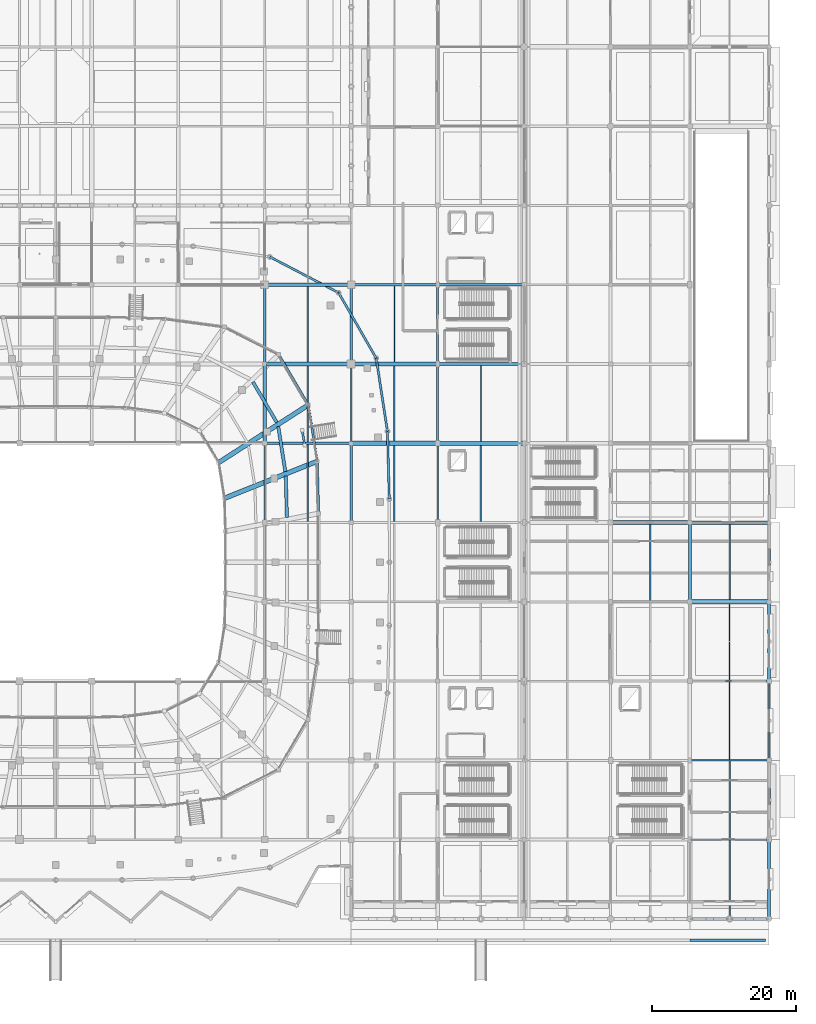
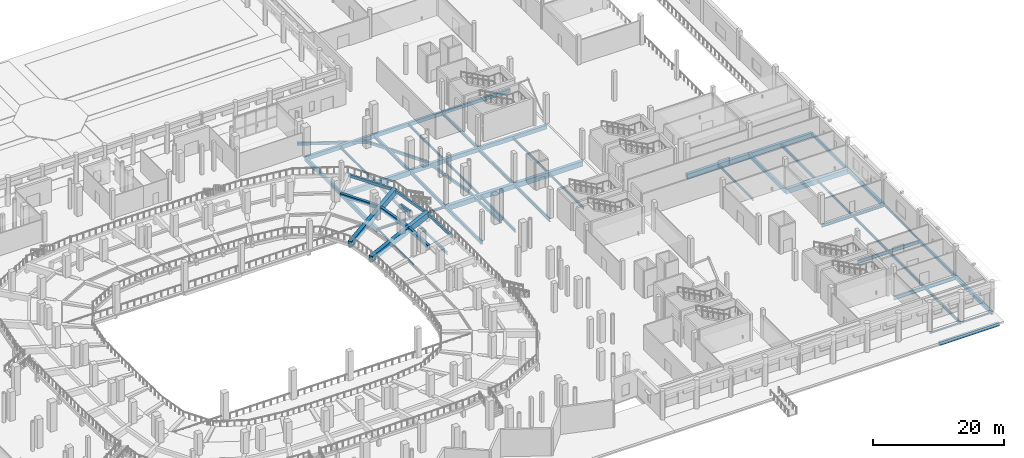
# One storey, part 32 of 120: 59 beams.
"""IFC4 building model written with IfcOpenShell, lengths in metres."""

from ifc_helpers import new_model, si_unit, direction, frame, origin, origin_2d, place, context, subcontext, project, spatial, rectangle, hollow_rectangle, i_section, extrude, material, material_profile, profile_set, type_object, element, save


model = new_model("IFC4")

# Units and contexts
model_context = context("Model", 3, precision=1e-05, world=origin(), true_north=direction((0.0, 1.0)))
body_context = subcontext(model_context, "Body", "Model", "MODEL_VIEW")
ifc_project = project(units=[si_unit("LENGTHUNIT", "METRE"), si_unit("AREAUNIT", "SQUARE_METRE"), si_unit("VOLUMEUNIT", "CUBIC_METRE"), si_unit("PLANEANGLEUNIT", "RADIAN"), si_unit("MASSUNIT", "GRAM", prefix="KILO")], contexts=[model_context])

# Site, building, storey
site_placement = place(None, origin())
site = spatial("IfcSite", under=ifc_project, at=site_placement, CompositionType="ELEMENT")
building_placement = place(site_placement, origin())
building = spatial("IfcBuilding", under=site, at=building_placement, Name="Luwafu Chhajja Arena", CompositionType="ELEMENT")
storey_placement = place(building_placement, origin())
storey = spatial("IfcBuildingStorey", under=building, at=storey_placement, Name="L00", CompositionType="ELEMENT", Elevation=0.0)

# Beams
ifc_material_1 = material(Name="Concrete C35/45", Category="concrete")
ifc_material_profile_1 = material_profile(ifc_material_1, rectangle(XDim=0.35009765625, YDim=0.60009765625, at=origin_2d()), Name="RC 350x600")
ifc_profile_set_1 = profile_set([ifc_material_profile_1], Name="Concrete C35/45")
beam_type_1 = type_object("IfcBeamType", Name="Arcade Tie Beam RC 350x600", PredefinedType="BEAM", material=ifc_profile_set_1)
beam_1_placement = place(storey_placement, frame((152.0, 88.0, -0.64990234375), z_axis=(1.0, 0.0, 0.0), x_axis=(0.0, 1.0, 0.0)))
element("IfcBeam", 1, at=beam_1_placement, inside=storey, type_object=beam_type_1, Name="L00 Grid Beam 14-15/J", PredefinedType="BEAM", context=body_context, shape_type="SweptSolid", body=[
    extrude(rectangle(XDim=0.35009765625, YDim=0.60009765625, at=origin_2d()), origin(), (0.0, 0.0, 1.0), 12.0),
])
beam_2_placement = place(storey_placement, frame((140.0, 55.0, -0.64990234375), z_axis=(0.0, 1.0, 0.0), x_axis=(-1.0, 0.0, 0.0)))
element("IfcBeam", 2, at=beam_2_placement, inside=storey, type_object=beam_type_1, Name="L00 Grid Beam 13/F-G", PredefinedType="BEAM", context=body_context, shape_type="SweptSolid", body=[
    extrude(rectangle(XDim=0.35009765625, YDim=0.60009765625, at=origin_2d()), origin(), (0.0, 0.0, 1.0), 11.0),
])
ifc_material_2 = material(Name="Precast concrete C40/50", Category="concrete")
ifc_material_profile_2 = material_profile(ifc_material_2, rectangle(XDim=0.449951171875, YDim=0.64990234375, at=origin_2d()), Name="RC 450x650")
ifc_profile_set_2 = profile_set([ifc_material_profile_2], Name="Precast concrete C40/50")
beam_type_2 = type_object("IfcBeamType", Name="Bowl Tier Ring Beam RC 450x650", PredefinedType="BEAM", material=ifc_profile_set_2)
beam_3_placement = place(storey_placement, frame((131.082763671875, 55.73095703125, 1.304931640625), z_axis=(-0.02790877048, 0.9996104744, 0.0), x_axis=(-0.9996104744, -0.02790877048, 0.0)))
element("IfcBeam", 3, at=beam_3_placement, inside=storey, type_object=beam_type_2, Name="Lower Tier Ring Beam S02-B3", PredefinedType="BEAM", context=body_context, shape_type="SweptSolid", body=[
    extrude(rectangle(XDim=0.449951171875, YDim=0.64990234375, at=origin_2d()), origin(), (0.0, 0.0, 1.0), 5.738525390625),
])
beam_4_placement = place(storey_placement, frame((130.86669921875, 62.073486328125, 1.304931640625), z_axis=(-0.155447556013, 0.987844146275, 0.0), x_axis=(-0.987844146275, -0.155447556013, 0.0)))
element("IfcBeam", 4, at=beam_4_placement, inside=storey, type_object=beam_type_2, Name="Lower Tier Ring Beam S03-B3", PredefinedType="BEAM", context=body_context, shape_type="SweptSolid", body=[
    extrude(rectangle(XDim=0.449951171875, YDim=0.64990234375, at=origin_2d()), origin(), (0.0, 0.0, 1.0), 6.329345703125),
])
beam_5_placement = place(storey_placement, frame((129.680419921875, 68.889892578125, 1.304931640625), z_axis=(-0.507802544164, 0.861473491258, 0.0), x_axis=(-0.861473491258, -0.507802544164, 0.0)))
element("IfcBeam", 5, at=beam_5_placement, inside=storey, type_object=beam_type_2, Name="Lower Tier Ring Beam S04-B3", PredefinedType="BEAM", context=body_context, shape_type="SweptSolid", body=[
    extrude(rectangle(XDim=0.449951171875, YDim=0.64990234375, at=origin_2d()), origin(), (0.0, 0.0, 1.0), 6.516357421875),
])
ifc_material_3 = material(Name="Steel S355", Category="steel")
ifc_material_profile_3 = material_profile(ifc_material_3, i_section(OverallWidth=0.165771484375, OverallDepth=0.306640625, WebThickness=0.006591796875, FlangeThickness=0.01171875, at=origin_2d()), Name="UB 305x165x46")
ifc_profile_set_3 = profile_set([ifc_material_profile_3], Name="Steel S355")
beam_type_3 = type_object("IfcBeamType", Name="Concourse Edge Spandrel Beam UB 305x165x46", PredefinedType="SPANDREL", material=ifc_profile_set_3)
for number, where, z_axis, x_axis, name in (
    (6, (187.0, 0.0, -0.50341796875), (1.0, 0.0, 0.0), (0.0, 1.0, 0.0), "L00 Grid Beam 17-18/A"),
    (7, (128.0, 55.0, -0.50341796875), (0.0, 1.0, 0.0), (-1.0, 0.0, 0.0), "L00 Grid Beam 12/F-G"),
    (8, (198.0, 22.0, -0.50341796875), (0.0, 1.0, 0.0), (-1.0, 0.0, 0.0), "L00 Grid Beam 18/C-D"),
):
    element("IfcBeam", number, at=place(storey_placement, frame(where, z_axis=z_axis, x_axis=x_axis)), inside=storey, type_object=beam_type_3, Name=name, PredefinedType="SPANDREL", context=body_context, shape_type="SweptSolid", body=[
        extrude(i_section(OverallWidth=0.165771484375, OverallDepth=0.306640625, WebThickness=0.006591796875, FlangeThickness=0.01171875, at=origin_2d()), origin(), (0.0, 0.0, 1.0), 11.0),
    ])
ifc_material_profile_4 = material_profile(ifc_material_1, rectangle(XDim=0.60009765625, YDim=0.89990234375, at=origin_2d()), Name="RC 600x900")
ifc_profile_set_4 = profile_set([ifc_material_profile_4], Name="Concrete C35/45")
beam_type_4 = type_object("IfcBeamType", Name="Concourse Primary Girder RC 600x900", PredefinedType="BEAM", material=ifc_profile_set_4)
beam_6_placement = place(storey_placement, frame((140.0, 66.0, -0.800048828125), z_axis=(1.0, 0.0, 0.0), x_axis=(0.0, 1.0, 0.0)))
element("IfcBeam", 9, at=beam_6_placement, inside=storey, type_object=beam_type_4, Name="L00 Grid Beam 13-14/G", PredefinedType="BEAM", context=body_context, shape_type="SweptSolid", body=[
    extrude(rectangle(XDim=0.60009765625, YDim=0.89990234375, at=origin_2d()), origin(), (0.0, 0.0, 1.0), 12.0),
])
beam_7_placement = place(storey_placement, frame((187.0, 44.0, -0.800048828125), z_axis=(1.0, 0.0, 0.0), x_axis=(0.0, 1.0, 0.0)))
element("IfcBeam", 10, at=beam_7_placement, inside=storey, type_object=beam_type_4, Name="L00 Grid Beam 17-18/E", PredefinedType="BEAM", context=body_context, shape_type="SweptSolid", body=[
    extrude(rectangle(XDim=0.60009765625, YDim=0.89990234375, at=origin_2d()), origin(), (0.0, 0.0, 1.0), 11.0),
])
ifc_material_profile_5 = material_profile(ifc_material_1, rectangle(XDim=0.550048828125, YDim=0.949951171875, at=origin_2d()), Name="RC 550x950")
ifc_profile_set_5 = profile_set([ifc_material_profile_5], Name="Concrete C35/45")
beam_type_5 = type_object("IfcBeamType", Name="Concourse Radial Girder RC 550x950", PredefinedType="BEAM", material=ifc_profile_set_5)
for number, where, z_axis, x_axis, name in (
    (11, (128.0, 77.0, -0.824951171875), (1.0, 0.0, 0.0), (0.0, 1.0, 0.0), "L00 Grid Beam 12-13/H"),
    (12, (152.0, 66.0, -0.824951171875), (1.0, 0.0, 0.0), (0.0, 1.0, 0.0), "L00 Grid Beam 14-15/G"),
):
    element("IfcBeam", number, at=place(storey_placement, frame(where, z_axis=z_axis, x_axis=x_axis)), inside=storey, type_object=beam_type_5, Name=name, PredefinedType="BEAM", context=body_context, shape_type="SweptSolid", body=[
        extrude(rectangle(XDim=0.550048828125, YDim=0.949951171875, at=origin_2d()), origin(), (0.0, 0.0, 1.0), 12.0),
    ])
beam_8_placement = place(storey_placement, frame((176.0, 55.0, -0.824951171875), z_axis=(1.0, 0.0, 0.0), x_axis=(0.0, 1.0, 0.0)))
element("IfcBeam", 13, at=beam_8_placement, inside=storey, type_object=beam_type_5, Name="L00 Grid Beam 16-17/F", PredefinedType="BEAM", context=body_context, shape_type="SweptSolid", body=[
    extrude(rectangle(XDim=0.550048828125, YDim=0.949951171875, at=origin_2d()), origin(), (0.0, 0.0, 1.0), 11.0),
])
ifc_material_profile_6 = material_profile(ifc_material_3, i_section(OverallWidth=0.15283203125, OverallDepth=0.45458984375, WebThickness=0.008056640625, FlangeThickness=0.01318359375, at=origin_2d()), Name="UB 457x152x60")
ifc_profile_set_6 = profile_set([ifc_material_profile_6], Name="Steel S355")
beam_type_6 = type_object("IfcBeamType", Name="Floor Joist UB 457x152x60", PredefinedType="JOIST", material=ifc_profile_set_6)
beam_9_placement = place(storey_placement, frame((146.0, 77.25, -0.577392578125), z_axis=(0.0, 1.0, 0.0), x_axis=(-1.0, 0.0, 0.0)))
element("IfcBeam", 14, at=beam_9_placement, inside=storey, type_object=beam_type_6, Name="L00 Secondary Joist 13-14/H", PredefinedType="JOIST", context=body_context, shape_type="SweptSolid", body=[
    extrude(i_section(OverallWidth=0.15283203125, OverallDepth=0.45458984375, WebThickness=0.008056640625, FlangeThickness=0.01318359375, at=origin_2d()), origin(), (0.0, 0.0, 1.0), 10.550048828125),
])
beam_10_placement = place(storey_placement, frame((158.0, 66.27490234375, -0.577392578125), z_axis=(0.0, 1.0, 0.0), x_axis=(-1.0, 0.0, 0.0)))
element("IfcBeam", 15, at=beam_10_placement, inside=storey, type_object=beam_type_6, Name="L00 Secondary Joist 14-15/G", PredefinedType="JOIST", context=body_context, shape_type="SweptSolid", body=[
    extrude(i_section(OverallWidth=0.15283203125, OverallDepth=0.45458984375, WebThickness=0.008056640625, FlangeThickness=0.01318359375, at=origin_2d()), origin(), (0.0, 0.0, 1.0), 10.5),
])
beam_11_placement = place(storey_placement, frame((181.5, 44.14990234375, -0.577392578125), z_axis=(0.0, 1.0, 0.0), x_axis=(-1.0, 0.0, 0.0)))
element("IfcBeam", 16, at=beam_11_placement, inside=storey, type_object=beam_type_6, Name="L00 Secondary Joist 16-17/E", PredefinedType="JOIST", context=body_context, shape_type="SweptSolid", body=[
    extrude(i_section(OverallWidth=0.15283203125, OverallDepth=0.45458984375, WebThickness=0.008056640625, FlangeThickness=0.01318359375, at=origin_2d()), origin(), (0.0, 0.0, 1.0), 10.5751953125),
])
beam_12_placement = place(storey_placement, frame((192.5, 33.14990234375, -0.577392578125), z_axis=(0.0, 1.0, 0.0), x_axis=(-1.0, 0.0, 0.0)))
element("IfcBeam", 17, at=beam_12_placement, inside=storey, type_object=beam_type_6, Name="L00 Secondary Joist 17-18/D", PredefinedType="JOIST", context=body_context, shape_type="SweptSolid", body=[
    extrude(i_section(OverallWidth=0.15283203125, OverallDepth=0.45458984375, WebThickness=0.008056640625, FlangeThickness=0.01318359375, at=origin_2d()), origin(), (0.0, 0.0, 1.0), 10.550048828125),
])
ifc_material_profile_7 = material_profile(ifc_material_3, i_section(OverallWidth=0.19140625, OverallDepth=0.4599609375, WebThickness=0.010009765625, FlangeThickness=0.01611328125, at=origin_2d()), Name="UB 457x191x82")
ifc_profile_set_7 = profile_set([ifc_material_profile_7], Name="Steel S355")
beam_type_7 = type_object("IfcBeamType", Name="Floor Joist UB 457x191x82", PredefinedType="JOIST", material=ifc_profile_set_7)
beam_13_placement = place(storey_placement, frame((134.0, 77.27490234375, -0.580078125), z_axis=(0.0, 1.0, 0.0), x_axis=(-1.0, 0.0, 0.0)))
element("IfcBeam", 18, at=beam_13_placement, inside=storey, type_object=beam_type_7, Name="L00 Secondary Joist 12-13/H", PredefinedType="JOIST", context=body_context, shape_type="SweptSolid", body=[
    extrude(i_section(OverallWidth=0.19140625, OverallDepth=0.4599609375, WebThickness=0.010009765625, FlangeThickness=0.01611328125, at=origin_2d()), origin(), (0.0, 0.0, 1.0), 10.5),
])
beam_14_placement = place(storey_placement, frame((146.0, 66.300048828125, -0.580078125), z_axis=(0.0, 1.0, 0.0), x_axis=(-1.0, 0.0, 0.0)))
element("IfcBeam", 19, at=beam_14_placement, inside=storey, type_object=beam_type_7, Name="L00 Secondary Joist 13-14/G", PredefinedType="JOIST", context=body_context, shape_type="SweptSolid", body=[
    extrude(i_section(OverallWidth=0.19140625, OverallDepth=0.4599609375, WebThickness=0.010009765625, FlangeThickness=0.01611328125, at=origin_2d()), origin(), (0.0, 0.0, 1.0), 10.449951171875),
])
beam_15_placement = place(storey_placement, frame((158.0, 55.14990234375, -0.580078125), z_axis=(0.0, 1.0, 0.0), x_axis=(-1.0, 0.0, 0.0)))
element("IfcBeam", 20, at=beam_15_placement, inside=storey, type_object=beam_type_7, Name="L00 Secondary Joist 14-15/F", PredefinedType="JOIST", context=body_context, shape_type="SweptSolid", body=[
    extrude(i_section(OverallWidth=0.19140625, OverallDepth=0.4599609375, WebThickness=0.010009765625, FlangeThickness=0.01611328125, at=origin_2d()), origin(), (0.0, 0.0, 1.0), 10.5751953125),
])
beam_16_placement = place(storey_placement, frame((192.5, 22.114501953125, -0.580078125), z_axis=(0.0, 1.0, 0.0), x_axis=(-1.0, 0.0, 0.0)))
element("IfcBeam", 21, at=beam_16_placement, inside=storey, type_object=beam_type_7, Name="L00 Secondary Joist 17-18/C", PredefinedType="JOIST", context=body_context, shape_type="SweptSolid", body=[
    extrude(i_section(OverallWidth=0.19140625, OverallDepth=0.4599609375, WebThickness=0.010009765625, FlangeThickness=0.01611328125, at=origin_2d()), origin(), (0.0, 0.0, 1.0), 10.735595703125),
])
ifc_material_profile_8 = material_profile(ifc_material_3, i_section(OverallWidth=0.2099609375, OverallDepth=0.53662109375, WebThickness=0.0107421875, FlangeThickness=0.017333984375, at=origin_2d()), Name="UB 533x210x101")
ifc_profile_set_8 = profile_set([ifc_material_profile_8], Name="Steel S355")
beam_type_8 = type_object("IfcBeamType", Name="Floor Joist UB 533x210x101", PredefinedType="JOIST", material=ifc_profile_set_8)
beam_17_placement = place(storey_placement, frame((134.0, 55.14990234375, -0.618408203125), z_axis=(0.0, 1.0, 0.0), x_axis=(-1.0, 0.0, 0.0)))
element("IfcBeam", 22, at=beam_17_placement, inside=storey, type_object=beam_type_8, Name="L00 Secondary Joist 12-13/F", PredefinedType="JOIST", context=body_context, shape_type="SweptSolid", body=[
    extrude(i_section(OverallWidth=0.2099609375, OverallDepth=0.53662109375, WebThickness=0.0107421875, FlangeThickness=0.017333984375, at=origin_2d()), origin(), (0.0, 0.0, 1.0), 10.7001953125),
])
beam_18_placement = place(storey_placement, frame((192.5, 0.082763671875, -0.618408203125), z_axis=(0.0, 1.0, 0.0), x_axis=(-1.0, 0.0, 0.0)))
element("IfcBeam", 23, at=beam_18_placement, inside=storey, type_object=beam_type_8, Name="L00 Secondary Joist 17-18/A", PredefinedType="JOIST", context=body_context, shape_type="SweptSolid", body=[
    extrude(i_section(OverallWidth=0.2099609375, OverallDepth=0.53662109375, WebThickness=0.0107421875, FlangeThickness=0.017333984375, at=origin_2d()), origin(), (0.0, 0.0, 1.0), 10.79052734375),
])
beam_19_placement = place(storey_placement, frame((192.5, 44.300048828125, -0.618408203125), z_axis=(0.0, 1.0, 0.0), x_axis=(-1.0, 0.0, 0.0)))
element("IfcBeam", 24, at=beam_19_placement, inside=storey, type_object=beam_type_8, Name="L00 Secondary Joist 17-18/E", PredefinedType="JOIST", context=body_context, shape_type="SweptSolid", body=[
    extrude(i_section(OverallWidth=0.2099609375, OverallDepth=0.53662109375, WebThickness=0.0107421875, FlangeThickness=0.017333984375, at=origin_2d()), origin(), (0.0, 0.0, 1.0), 10.449951171875),
])
ifc_material_profile_9 = material_profile(ifc_material_3, i_section(OverallWidth=0.209228515625, OverallDepth=0.533203125, WebThickness=0.010009765625, FlangeThickness=0.015625, at=origin_2d()), Name="UB 533x210x92")
ifc_profile_set_9 = profile_set([ifc_material_profile_9], Name="Steel S355")
beam_type_9 = type_object("IfcBeamType", Name="Floor Joist UB 533x210x92", PredefinedType="JOIST", material=ifc_profile_set_9)
beam_20_placement = place(storey_placement, frame((134.0, 66.14990234375, -0.616455078125), z_axis=(0.0, 1.0, 0.0), x_axis=(-1.0, 0.0, 0.0)))
element("IfcBeam", 25, at=beam_20_placement, inside=storey, type_object=beam_type_9, Name="L00 Secondary Joist 12-13/G", PredefinedType="JOIST", context=body_context, shape_type="SweptSolid", body=[
    extrude(i_section(OverallWidth=0.209228515625, OverallDepth=0.533203125, WebThickness=0.010009765625, FlangeThickness=0.015625, at=origin_2d()), origin(), (0.0, 0.0, 1.0), 10.5751953125),
])
beam_21_placement = place(storey_placement, frame((146.0, 55.14990234375, -0.616455078125), z_axis=(0.0, 1.0, 0.0), x_axis=(-1.0, 0.0, 0.0)))
element("IfcBeam", 26, at=beam_21_placement, inside=storey, type_object=beam_type_9, Name="L00 Secondary Joist 13-14/F", PredefinedType="JOIST", context=body_context, shape_type="SweptSolid", body=[
    extrude(i_section(OverallWidth=0.209228515625, OverallDepth=0.533203125, WebThickness=0.010009765625, FlangeThickness=0.015625, at=origin_2d()), origin(), (0.0, 0.0, 1.0), 10.550048828125),
])
beam_22_placement = place(storey_placement, frame((192.5, 11.126708984375, -0.616455078125), z_axis=(0.0, 1.0, 0.0), x_axis=(-1.0, 0.0, 0.0)))
element("IfcBeam", 27, at=beam_22_placement, inside=storey, type_object=beam_type_9, Name="L00 Secondary Joist 17-18/B", PredefinedType="JOIST", context=body_context, shape_type="SweptSolid", body=[
    extrude(i_section(OverallWidth=0.209228515625, OverallDepth=0.533203125, WebThickness=0.010009765625, FlangeThickness=0.015625, at=origin_2d()), origin(), (0.0, 0.0, 1.0), 10.7587890625),
])
ifc_material_profile_10 = material_profile(ifc_material_1, rectangle(XDim=0.5, YDim=0.800048828125, at=origin_2d()), Name="RC 500x800")
ifc_profile_set_10 = profile_set([ifc_material_profile_10], Name="Concrete C35/45")
beam_type_10 = type_object("IfcBeamType", Name="Hospitality Primary Beam RC 500x800", PredefinedType="BEAM", material=ifc_profile_set_10)
beam_23_placement = place(storey_placement, frame((140.0, 77.0, -0.75), z_axis=(1.0, 0.0, 0.0), x_axis=(0.0, 1.0, 0.0)))
element("IfcBeam", 28, at=beam_23_placement, inside=storey, type_object=beam_type_10, Name="L00 Grid Beam 13-14/H", PredefinedType="BEAM", context=body_context, shape_type="SweptSolid", body=[
    extrude(rectangle(XDim=0.5, YDim=0.800048828125, at=origin_2d()), origin(), (0.0, 0.0, 1.0), 12.0),
])
beam_24_placement = place(storey_placement, frame((187.0, 55.0, -0.75), z_axis=(1.0, 0.0, 0.0), x_axis=(0.0, 1.0, 0.0)))
element("IfcBeam", 29, at=beam_24_placement, inside=storey, type_object=beam_type_10, Name="L00 Grid Beam 17-18/F", PredefinedType="BEAM", context=body_context, shape_type="SweptSolid", body=[
    extrude(rectangle(XDim=0.5, YDim=0.800048828125, at=origin_2d()), origin(), (0.0, 0.0, 1.0), 11.0),
])
ifc_material_profile_11 = material_profile(ifc_material_3, hollow_rectangle(XDim=0.300048828125, YDim=0.5, WallThickness=0.02001953125, at=origin_2d()), Name="RHS 500x300x20")
ifc_profile_set_11 = profile_set([ifc_material_profile_11], Name="Steel S355")
beam_type_11 = type_object("IfcBeamType", Name="Pleated Drum Spandrel Beam RHS 500x300", PredefinedType="SPANDREL", material=ifc_profile_set_11)
for number, where, z_axis, x_axis, name in (
    (30, (198.0, 11.0, -0.60009765625), (0.0, 1.0, 0.0), (-1.0, 0.0, 0.0), "L00 Grid Beam 18/B-C"),
    (31, (198.0, 44.0, -0.60009765625), (0.0, 1.0, 0.0), (-1.0, 0.0, 0.0), "L00 Grid Beam 18/E-F"),
):
    element("IfcBeam", number, at=place(storey_placement, frame(where, z_axis=z_axis, x_axis=x_axis)), inside=storey, type_object=beam_type_11, Name=name, PredefinedType="SPANDREL", context=body_context, shape_type="SweptSolid", body=[
        extrude(hollow_rectangle(XDim=0.300048828125, YDim=0.5, WallThickness=0.02001953125, at=origin_2d()), origin(), (0.0, 0.0, 1.0), 11.0),
    ])
beam_25_placement = place(storey_placement, frame((145.28759765625, 58.269775390625, -0.60009765625), z_axis=(-0.02720805866, 0.999629792245, 0.0), x_axis=(-0.999629792245, -0.02720805866, 0.0)))
element("IfcBeam", 32, at=beam_25_placement, inside=storey, type_object=beam_type_11, Name="L00 Drum Ring Spandrel D02-D03", PredefinedType="SPANDREL", context=body_context, shape_type="SweptSolid", body=[
    extrude(hollow_rectangle(XDim=0.300048828125, YDim=0.5, WallThickness=0.02001953125, at=origin_2d()), origin(), (0.0, 0.0, 1.0), 9.394775390625),
])
beam_26_placement = place(storey_placement, frame((145.031982421875, 67.6611328125, -0.60009765625), z_axis=(-0.1515977802, 0.988442265911, 0.0), x_axis=(-0.988442265911, -0.1515977802, 0.0)))
element("IfcBeam", 33, at=beam_26_placement, inside=storey, type_object=beam_type_11, Name="L00 Drum Ring Spandrel D03-D04", PredefinedType="SPANDREL", context=body_context, shape_type="SweptSolid", body=[
    extrude(hollow_rectangle(XDim=0.300048828125, YDim=0.5, WallThickness=0.02001953125, at=origin_2d()), origin(), (0.0, 0.0, 1.0), 10.263427734375),
])
beam_27_placement = place(storey_placement, frame((143.47607421875, 77.805908203125, -0.60009765625), z_axis=(-0.498192671921, 0.867066353657, 0.0), x_axis=(-0.867066353657, -0.498192671921, 0.0)))
element("IfcBeam", 34, at=beam_27_placement, inside=storey, type_object=beam_type_11, Name="L00 Drum Ring Spandrel D04-D05", PredefinedType="SPANDREL", context=body_context, shape_type="SweptSolid", body=[
    extrude(hollow_rectangle(XDim=0.300048828125, YDim=0.5, WallThickness=0.02001953125, at=origin_2d()), origin(), (0.0, 0.0, 1.0), 10.477783203125),
])
beam_28_placement = place(storey_placement, frame((138.256103515625, 86.890869140625, -0.60009765625), z_axis=(-0.886755170812, 0.462239404463, 0.0), x_axis=(-0.462239404463, -0.886755170812, 0.0)))
element("IfcBeam", 35, at=beam_28_placement, inside=storey, type_object=beam_type_11, Name="L00 Drum Ring Spandrel D05-D06", PredefinedType="SPANDREL", context=body_context, shape_type="SweptSolid", body=[
    extrude(hollow_rectangle(XDim=0.300048828125, YDim=0.5, WallThickness=0.02001953125, at=origin_2d()), origin(), (0.0, 0.0, 1.0), 10.756103515625),
])
ifc_material_profile_12 = material_profile(ifc_material_1, rectangle(XDim=0.39990234375, YDim=0.60009765625, at=origin_2d()), Name="RC 400x600")
ifc_profile_set_12 = profile_set([ifc_material_profile_12], Name="Concrete C35/45")
beam_type_12 = type_object("IfcBeamType", Name="Podium Perimeter Spandrel RC 400x600", PredefinedType="SPANDREL", material=ifc_profile_set_12)
for number, where, z_axis, x_axis, name in (
    (36, (198.0, 0.0, -0.64990234375), (0.0, 1.0, 0.0), (-1.0, 0.0, 0.0), "L00 Grid Beam 18/A-B"),
    (37, (198.0, 33.0, -0.64990234375), (0.0, 1.0, 0.0), (-1.0, 0.0, 0.0), "L00 Grid Beam 18/D-E"),
):
    element("IfcBeam", number, at=place(storey_placement, frame(where, z_axis=z_axis, x_axis=x_axis)), inside=storey, type_object=beam_type_12, Name=name, PredefinedType="SPANDREL", context=body_context, shape_type="SweptSolid", body=[
        extrude(rectangle(XDim=0.39990234375, YDim=0.60009765625, at=origin_2d()), origin(), (0.0, 0.0, 1.0), 11.0),
    ])
beam_29_placement = place(storey_placement, frame((187.0, -2.949951171875, -0.659912109375), z_axis=(1.0, 0.0, 0.0), x_axis=(0.0, 1.0, 0.0)))
element("IfcBeam", 38, at=beam_29_placement, inside=storey, type_object=beam_type_12, Name="L00 Forecourt Plinth Edge Beam 18", PredefinedType="SPANDREL", context=body_context, shape_type="SweptSolid", body=[
    extrude(rectangle(XDim=0.39990234375, YDim=0.60009765625, at=origin_2d()), origin(), (0.0, 0.0, 1.0), 10.5),
])
ifc_material_4 = material(Name="Precast concrete C45/55", Category="concrete")
ifc_material_profile_13 = material_profile(ifc_material_4, rectangle(XDim=0.64990234375, YDim=1.10009765625, at=origin_2d()), Name="PC 650x1100")
ifc_profile_set_13 = profile_set([ifc_material_profile_13], Name="Precast concrete C45/55")
beam_type_13 = type_object("IfcBeamType", Name="Precast Lower Bowl Raker PC 650x1100", PredefinedType="USERDEFINED", material=ifc_profile_set_13)
beam_30_placement = place(storey_placement, frame((122.364013671875, 58.35400390625, 0.530029296875), z_axis=(0.927852740842, 0.369546185128, 0.050248466339), x_axis=(-0.370013605587, 0.9290263353, 0.0)))
element("IfcBeam", 39, at=beam_30_placement, inside=storey, type_object=beam_type_13, Name="Lower Bowl Raker RKR-L03", ObjectType="RAKER", PredefinedType="USERDEFINED", context=body_context, shape_type="SweptSolid", body=[
    extrude(rectangle(XDim=0.64990234375, YDim=1.10009765625, at=origin_2d()), origin(), (0.0, 0.0, 1.0), 13.9296875),
])
beam_31_placement = place(storey_placement, frame((121.57421875, 63.2998046875, 0.530029296875), z_axis=(0.840387777065, 0.539934770629, 0.047104433174), x_axis=(-0.540534780395, 0.84132166927, 0.0)))
element("IfcBeam", 40, at=beam_31_placement, inside=storey, type_object=beam_type_13, Name="Lower Bowl Raker RKR-L04", ObjectType="RAKER", PredefinedType="USERDEFINED", context=body_context, shape_type="SweptSolid", body=[
    extrude(rectangle(XDim=0.64990234375, YDim=1.10009765625, at=origin_2d()), origin(), (0.0, 0.0, 1.0), 14.859619140625),
])
ifc_material_profile_14 = material_profile(ifc_material_3, i_section(OverallWidth=0.300048828125, OverallDepth=0.5, WebThickness=0.014404296875, FlangeThickness=0.028076171875, at=origin_2d()), Name="HEB 500")
ifc_profile_set_14 = profile_set([ifc_material_profile_14], Name="Steel S355")
beam_type_14 = type_object("IfcBeamType", Name="Steel Atrium Tie Girder HEB 500", PredefinedType="BEAM", material=ifc_profile_set_14)
for number, where, z_axis, x_axis, name in (
    (41, (187.0, 33.0, -0.60009765625), (1.0, 0.0, 0.0), (0.0, 1.0, 0.0), "L00 Grid Beam 17-18/D"),
    (42, (152.0, 77.0, -0.60009765625), (0.0, 1.0, 0.0), (-1.0, 0.0, 0.0), "L00 Grid Beam 14/H-J"),
):
    element("IfcBeam", number, at=place(storey_placement, frame(where, z_axis=z_axis, x_axis=x_axis)), inside=storey, type_object=beam_type_14, Name=name, PredefinedType="BEAM", context=body_context, shape_type="SweptSolid", body=[
        extrude(i_section(OverallWidth=0.300048828125, OverallDepth=0.5, WebThickness=0.014404296875, FlangeThickness=0.028076171875, at=origin_2d()), origin(), (0.0, 0.0, 1.0), 11.0),
    ])
ifc_material_profile_15 = material_profile(ifc_material_3, i_section(OverallWidth=0.253662109375, OverallDepth=0.68359375, WebThickness=0.012451171875, FlangeThickness=0.01904296875, at=origin_2d()), Name="UB 686x254x140")
ifc_profile_set_15 = profile_set([ifc_material_profile_15], Name="Steel S355")
beam_type_15 = type_object("IfcBeamType", Name="Steel Concourse Girder UB 686x254x140", PredefinedType="BEAM", material=ifc_profile_set_15)
for number, where, z_axis, x_axis, name in (
    (43, (187.0, 11.0, -0.691650390625), (1.0, 0.0, 0.0), (0.0, 1.0, 0.0), "L00 Grid Beam 17-18/B"),
    (44, (140.0, 66.0, -0.691650390625), (0.0, 1.0, 0.0), (-1.0, 0.0, 0.0), "L00 Grid Beam 13/G-H"),
):
    element("IfcBeam", number, at=place(storey_placement, frame(where, z_axis=z_axis, x_axis=x_axis)), inside=storey, type_object=beam_type_15, Name=name, PredefinedType="BEAM", context=body_context, shape_type="SweptSolid", body=[
        extrude(i_section(OverallWidth=0.253662109375, OverallDepth=0.68359375, WebThickness=0.012451171875, FlangeThickness=0.01904296875, at=origin_2d()), origin(), (0.0, 0.0, 1.0), 11.0),
    ])
ifc_material_profile_16 = material_profile(ifc_material_3, i_section(OverallWidth=0.300048828125, OverallDepth=0.60009765625, WebThickness=0.015380859375, FlangeThickness=0.030029296875, at=origin_2d()), Name="HEB 600")
ifc_profile_set_16 = profile_set([ifc_material_profile_16], Name="Steel S355")
beam_type_16 = type_object("IfcBeamType", Name="Steel Gallery Girder HEB 600", PredefinedType="BEAM", material=ifc_profile_set_16)
beam_32_placement = place(storey_placement, frame((152.0, 66.0, -0.64990234375), z_axis=(0.0, 1.0, 0.0), x_axis=(-1.0, 0.0, 0.0)))
element("IfcBeam", 45, at=beam_32_placement, inside=storey, type_object=beam_type_16, Name="L00 Grid Beam 14/G-H", PredefinedType="BEAM", context=body_context, shape_type="SweptSolid", body=[
    extrude(i_section(OverallWidth=0.300048828125, OverallDepth=0.60009765625, WebThickness=0.015380859375, FlangeThickness=0.030029296875, at=origin_2d()), origin(), (0.0, 0.0, 1.0), 11.0),
])
ifc_material_profile_17 = material_profile(ifc_material_3, i_section(OverallWidth=0.30712890625, OverallDepth=0.6201171875, WebThickness=0.01416015625, FlangeThickness=0.023681640625, at=origin_2d()), Name="UB 610x305x179")
ifc_profile_set_17 = profile_set([ifc_material_profile_17], Name="Steel S355")
beam_type_17 = type_object("IfcBeamType", Name="Steel Hospitality Girder UB 610x305x179", PredefinedType="BEAM", material=ifc_profile_set_17)
beam_33_placement = place(storey_placement, frame((140.0, 77.0, -0.66015625), z_axis=(0.0, 1.0, 0.0), x_axis=(-1.0, 0.0, 0.0)))
element("IfcBeam", 46, at=beam_33_placement, inside=storey, type_object=beam_type_17, Name="L00 Grid Beam 13/H-J", PredefinedType="BEAM", context=body_context, shape_type="SweptSolid", body=[
    extrude(i_section(OverallWidth=0.30712890625, OverallDepth=0.6201171875, WebThickness=0.01416015625, FlangeThickness=0.023681640625, at=origin_2d()), origin(), (0.0, 0.0, 1.0), 11.0),
])
ifc_material_profile_18 = material_profile(ifc_material_3, i_section(OverallWidth=0.22900390625, OverallDepth=0.6123046875, WebThickness=0.011962890625, FlangeThickness=0.01953125, at=origin_2d()), Name="UB 610x229x125")
ifc_profile_set_18 = profile_set([ifc_material_profile_18], Name="Steel S355")
beam_type_18 = type_object("IfcBeamType", Name="Steel Mezzanine Girder UB 610x229x125", PredefinedType="BEAM", material=ifc_profile_set_18)
for number, where, z_axis, x_axis, name in (
    (47, (187.0, 22.0, -0.656005859375), (1.0, 0.0, 0.0), (0.0, 1.0, 0.0), "L00 Grid Beam 17-18/C"),
    (48, (152.0, 55.0, -0.656005859375), (0.0, 1.0, 0.0), (-1.0, 0.0, 0.0), "L00 Grid Beam 14/F-G"),
):
    element("IfcBeam", number, at=place(storey_placement, frame(where, z_axis=z_axis, x_axis=x_axis)), inside=storey, type_object=beam_type_18, Name=name, PredefinedType="BEAM", context=body_context, shape_type="SweptSolid", body=[
        extrude(i_section(OverallWidth=0.22900390625, OverallDepth=0.6123046875, WebThickness=0.011962890625, FlangeThickness=0.01953125, at=origin_2d()), origin(), (0.0, 0.0, 1.0), 11.0),
    ])
ifc_material_profile_19 = material_profile(ifc_material_3, i_section(OverallWidth=0.300048828125, OverallDepth=0.39990234375, WebThickness=0.013427734375, FlangeThickness=0.02392578125, at=origin_2d()), Name="HEB 400")
ifc_profile_set_19 = profile_set([ifc_material_profile_19], Name="Steel S355")
beam_type_19 = type_object("IfcBeamType", Name="Steel Rigging Grid Beam HEB 400", PredefinedType="BEAM", material=ifc_profile_set_19)
beam_34_placement = place(storey_placement, frame((128.0, 66.0, -0.550048828125), z_axis=(1.0, 0.0, 0.0), x_axis=(0.0, 1.0, 0.0)))
element("IfcBeam", 49, at=beam_34_placement, inside=storey, type_object=beam_type_19, Name="L00 Grid Beam 12-13/G", PredefinedType="BEAM", context=body_context, shape_type="SweptSolid", body=[
    extrude(i_section(OverallWidth=0.300048828125, OverallDepth=0.39990234375, WebThickness=0.013427734375, FlangeThickness=0.02392578125, at=origin_2d()), origin(), (0.0, 0.0, 1.0), 12.0),
])
ifc_material_profile_20 = material_profile(ifc_material_2, rectangle(XDim=0.300048828125, YDim=0.5, at=origin_2d()), Name="RC 300x500")
ifc_profile_set_20 = profile_set([ifc_material_profile_20], Name="Precast concrete C40/50")
beam_type_20 = type_object("IfcBeamType", Name="Tier Support Beam RC 300x500", PredefinedType="BEAM", material=ifc_profile_set_20)
beam_35_placement = place(storey_placement, frame((135.490234375, 56.26123046875, 1.3798828125), z_axis=(-0.027807295899, 0.99961330238, 0.0), x_axis=(-0.99961330238, -0.027807295899, 0.0)))
element("IfcBeam", 50, at=beam_35_placement, inside=storey, type_object=beam_type_20, Name="Lower Tier Outer Ring Beam S02", PredefinedType="BEAM", context=body_context, shape_type="SweptSolid", body=[
    extrude(rectangle(XDim=0.300048828125, YDim=0.5, at=origin_2d()), origin(), (0.0, 0.0, 1.0), 7.2431640625),
])
beam_36_placement = place(storey_placement, frame((135.288818359375, 63.501708984375, 1.3798828125), z_axis=(-0.15496009699, 0.987920729786, 0.0), x_axis=(-0.987920729786, -0.15496009699, 0.0)))
element("IfcBeam", 51, at=beam_36_placement, inside=storey, type_object=beam_type_20, Name="Lower Tier Outer Ring Beam S03", PredefinedType="BEAM", context=body_context, shape_type="SweptSolid", body=[
    extrude(rectangle(XDim=0.300048828125, YDim=0.5, at=origin_2d()), origin(), (0.0, 0.0, 1.0), 7.9169921875),
])
beam_37_placement = place(storey_placement, frame((133.557861328125, 65.625732421875, 0.89990234375), z_axis=(-0.154975894231, 0.987918251784, 0.0), x_axis=(-0.987918251784, -0.154975894231, 0.0)))
element("IfcBeam", 52, at=beam_37_placement, inside=storey, type_object=beam_type_20, Name="L00 Vomitory Header Beam S03", PredefinedType="BEAM", context=body_context, shape_type="SweptSolid", body=[
    extrude(rectangle(XDim=0.300048828125, YDim=0.5, at=origin_2d()), origin(), (0.0, 0.0, 1.0), 2.300048828125),
])
beam_38_placement = place(storey_placement, frame((134.06201171875, 71.322998046875, 1.3798828125), z_axis=(-0.506540670535, 0.862216068682, 0.0), x_axis=(-0.862216068682, -0.506540670535, 0.0)))
element("IfcBeam", 53, at=beam_38_placement, inside=storey, type_object=beam_type_20, Name="Lower Tier Outer Ring Beam S04", PredefinedType="BEAM", context=body_context, shape_type="SweptSolid", body=[
    extrude(rectangle(XDim=0.300048828125, YDim=0.5, at=origin_2d()), origin(), (0.0, 0.0, 1.0), 8.123779296875),
])
ifc_material_profile_21 = material_profile(ifc_material_1, rectangle(XDim=0.39990234375, YDim=0.699951171875, at=origin_2d()), Name="RC 400x700")
ifc_profile_set_21 = profile_set([ifc_material_profile_21], Name="Concrete C35/45")
beam_type_21 = type_object("IfcBeamType", Name="Wing Frame Beam RC 400x700", PredefinedType="BEAM", material=ifc_profile_set_21)
beam_39_placement = place(storey_placement, frame((140.0, 88.0, -0.699951171875), z_axis=(1.0, 0.0, 0.0), x_axis=(0.0, 1.0, 0.0)))
element("IfcBeam", 54, at=beam_39_placement, inside=storey, type_object=beam_type_21, Name="L00 Grid Beam 13-14/J", PredefinedType="BEAM", context=body_context, shape_type="SweptSolid", body=[
    extrude(rectangle(XDim=0.39990234375, YDim=0.699951171875, at=origin_2d()), origin(), (0.0, 0.0, 1.0), 12.0),
])
for number, where, z_axis, x_axis, name in (
    (55, (128.0, 77.0, -0.699951171875), (0.0, 1.0, 0.0), (-1.0, 0.0, 0.0), "L00 Grid Beam 12/H-J"),
    (56, (187.0, 44.0, -0.699951171875), (0.0, 1.0, 0.0), (-1.0, 0.0, 0.0), "L00 Grid Beam 17/E-F"),
):
    element("IfcBeam", number, at=place(storey_placement, frame(where, z_axis=z_axis, x_axis=x_axis)), inside=storey, type_object=beam_type_21, Name=name, PredefinedType="BEAM", context=body_context, shape_type="SweptSolid", body=[
        extrude(rectangle(XDim=0.39990234375, YDim=0.699951171875, at=origin_2d()), origin(), (0.0, 0.0, 1.0), 11.0),
    ])
ifc_material_profile_22 = material_profile(ifc_material_1, rectangle(XDim=0.449951171875, YDim=0.75, at=origin_2d()), Name="RC 450x750")
ifc_profile_set_22 = profile_set([ifc_material_profile_22], Name="Concrete C35/45")
beam_type_22 = type_object("IfcBeamType", Name="Wing Primary Beam RC 450x750", PredefinedType="BEAM", material=ifc_profile_set_22)
for number, where, z_axis, x_axis, name in (
    (57, (128.0, 88.0, -0.72509765625), (1.0, 0.0, 0.0), (0.0, 1.0, 0.0), "L00 Grid Beam 12-13/J"),
    (58, (152.0, 77.0, -0.72509765625), (1.0, 0.0, 0.0), (0.0, 1.0, 0.0), "L00 Grid Beam 14-15/H"),
):
    element("IfcBeam", number, at=place(storey_placement, frame(where, z_axis=z_axis, x_axis=x_axis)), inside=storey, type_object=beam_type_22, Name=name, PredefinedType="BEAM", context=body_context, shape_type="SweptSolid", body=[
        extrude(rectangle(XDim=0.449951171875, YDim=0.75, at=origin_2d()), origin(), (0.0, 0.0, 1.0), 12.0),
    ])
beam_40_placement = place(storey_placement, frame((128.0, 66.0, -0.72509765625), z_axis=(0.0, 1.0, 0.0), x_axis=(-1.0, 0.0, 0.0)))
element("IfcBeam", 59, at=beam_40_placement, inside=storey, type_object=beam_type_22, Name="L00 Grid Beam 12/G-H", PredefinedType="BEAM", context=body_context, shape_type="SweptSolid", body=[
    extrude(rectangle(XDim=0.449951171875, YDim=0.75, at=origin_2d()), origin(), (0.0, 0.0, 1.0), 11.0),
])

save(model, "model.ifc")
